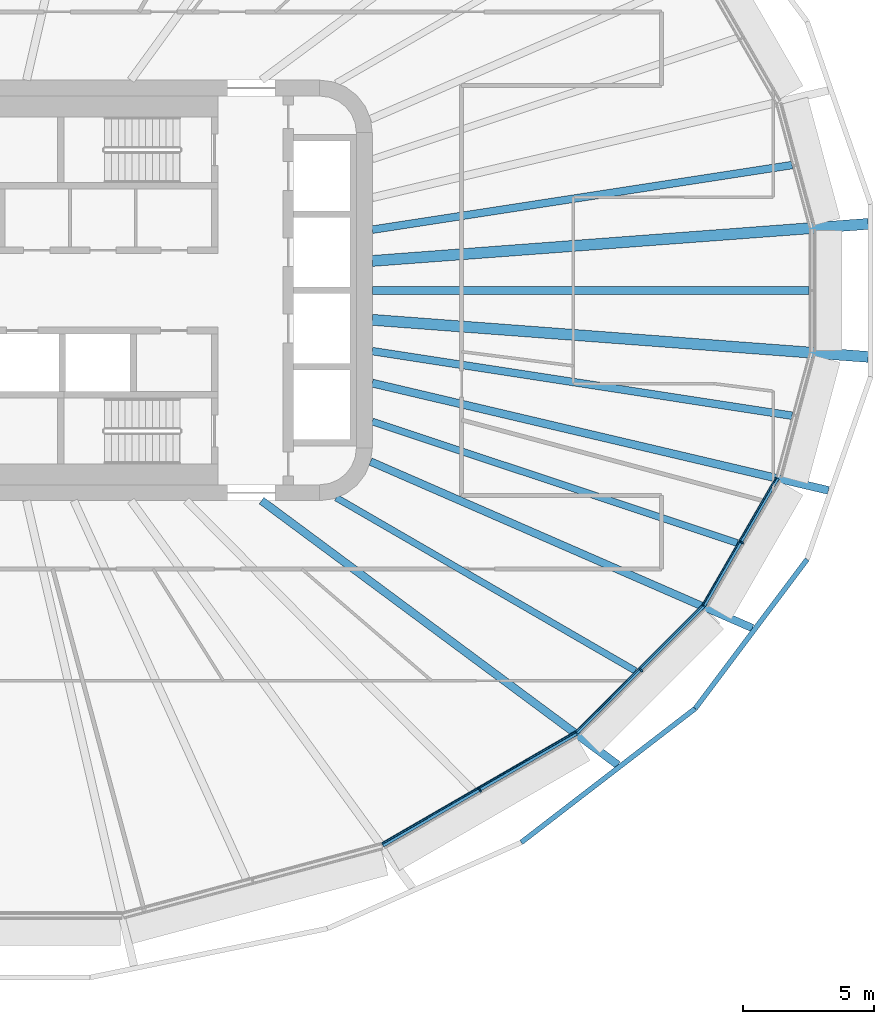
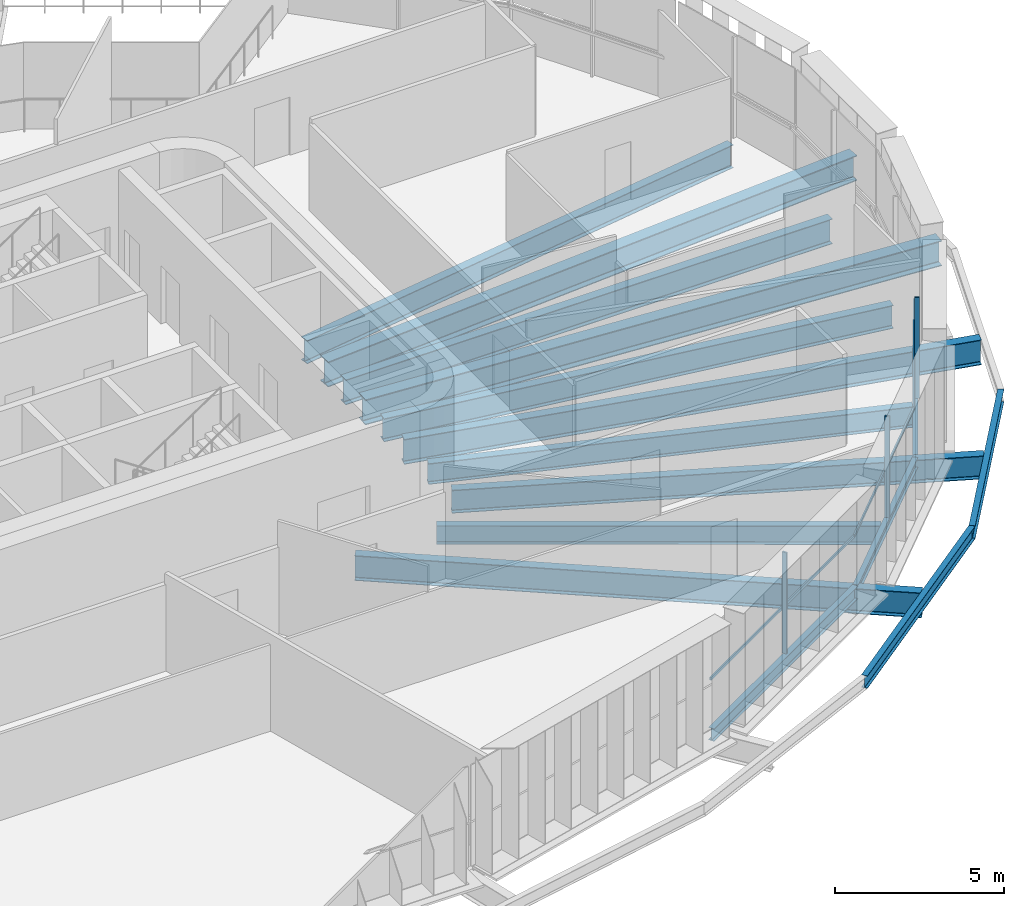
# One storey, part 5 of 24: 15 beams, 6 members, 3 elements without a shape of their own.
"""IFC4 building model written with IfcOpenShell, lengths in metres."""

import ifcopenshell
import ifcopenshell.guid

model = None  # the IFC model being written
_history = None  # IfcOwnerHistory: only IFC2X3 demands one
_inside = {}  # id of a spatial element -> (the spatial element, [elements in it])
_under = {}  # id of a project, library or spatial element -> (it, [spatial elements below it])
_declared = {}  # id of a project -> (the project, [libraries it declares])
_typed = {}  # id of a type object -> (the type object, [elements of that type])
_made_of = {}  # id of a material, layer set ... -> (it, [elements and type objects made of it])


def new_model(schema):
    """Start an empty IFC model of exactly this schema.

    Asked for "IFC4X3", IfcOpenShell would pick the latest addendum, in which some entities
    have other attributes; the version numbers below select the first issue.
    IFC2X3 requires an IfcOwnerHistory on every rooted entity: one is made here for all.
    """
    global model, _history
    if schema == "IFC4X3":
        model = ifcopenshell.file(schema_version=(4, 3, 0, 0))
    else:
        model = ifcopenshell.file(schema=schema)
    _inside.clear()
    _under.clear()
    _declared.clear()
    _typed.clear()
    _made_of.clear()
    _history = None
    if model.schema == "IFC2X3":
        org = make("IfcOrganization", Name="unknown")
        user = make(
            "IfcPersonAndOrganization",
            ThePerson=make("IfcPerson", FamilyName="unknown"),
            TheOrganization=org,
        )
        app = make(
            "IfcApplication",
            ApplicationDeveloper=org,
            Version="unknown",
            ApplicationFullName="unknown",
            ApplicationIdentifier="unknown",
        )
        _history = make(
            "IfcOwnerHistory",
            OwningUser=user,
            OwningApplication=app,
            ChangeAction="ADDED",
            CreationDate=0,
        )
    return model


def make(cls, **values):
    """One entity of the class cls with the attributes given. An attribute that is None is left unset."""
    return model.create_entity(
        cls, **{name: value for name, value in values.items() if value is not None}
    )


def rooted(cls, **values):
    """An entity with a GlobalId (a new one), such as an element, a storey or a relation."""
    return make(cls, GlobalId=ifcopenshell.guid.new(), OwnerHistory=_history, **values)


def si_unit(unit_type, name, prefix=None):
    """IfcSIUnit, for example si_unit("LENGTHUNIT", "METRE", prefix="MILLI")."""
    return make("IfcSIUnit", UnitType=unit_type, Prefix=prefix, Name=name)


def assignment(units):
    """IfcUnitAssignment: the units of a project."""
    return None if units is None else make("IfcUnitAssignment", Units=units)


def point(xyz):
    """IfcCartesianPoint."""
    return None if xyz is None else make("IfcCartesianPoint", Coordinates=xyz)


def direction(xyz):
    """IfcDirection."""
    return None if xyz is None else make("IfcDirection", DirectionRatios=xyz)


def frame(location, z_axis=None, x_axis=None):
    """IfcAxis2Placement3D, a coordinate frame: its origin and axes. An axis left out is left unset."""
    return make(
        "IfcAxis2Placement3D",
        Location=point(location),
        Axis=direction(z_axis),
        RefDirection=direction(x_axis),
    )


def frame_2d(location, x_axis=None):
    """IfcAxis2Placement2D, a coordinate frame in the plane: its origin and x axis."""
    return make(
        "IfcAxis2Placement2D", Location=point(location), RefDirection=direction(x_axis)
    )


def origin():
    """The frame at (0, 0, 0) with its axes left unset."""
    return frame((0.0, 0.0, 0.0))


def origin_2d():
    """The frame at (0, 0) in the plane with its x axis left unset."""
    return frame_2d((0.0, 0.0))


def place(relative_to, where):
    """IfcLocalPlacement: puts the frame where relative to a parent placement (None: the world)."""
    return make(
        "IfcLocalPlacement", PlacementRelTo=relative_to, RelativePlacement=where
    )


def context(
    kind, dimensions, precision=None, world=None, true_north=None, identifier=None
):
    """IfcGeometricRepresentationContext, for example the 3D "Model" context."""
    return make(
        "IfcGeometricRepresentationContext",
        ContextIdentifier=identifier,
        ContextType=kind,
        CoordinateSpaceDimension=dimensions,
        Precision=precision,
        WorldCoordinateSystem=world,
        TrueNorth=true_north,
    )


def subcontext(parent, identifier, kind, view, scale=None):
    """IfcGeometricRepresentationSubContext, for example "Body" below "Model"."""
    return make(
        "IfcGeometricRepresentationSubContext",
        ContextIdentifier=identifier,
        ContextType=kind,
        ParentContext=parent,
        TargetScale=scale,
        TargetView=view,
    )


def project(units=None, contexts=None):
    """IfcProject with its units and contexts."""
    return rooted(
        "IfcProject",
        Name="project",
        RepresentationContexts=contexts,
        UnitsInContext=assignment(units),
    )


def spatial(cls, under=None, at=None, **own):
    """A site, building, storey or space (cls), placed at a placement, below another one or the project."""
    s = rooted(cls, ObjectPlacement=at, **own)
    if under is not None:
        _under.setdefault(under.id(), (under, []))[1].append(s)
    return s


def profile(cls, at=None, kind="AREA", **sizes):
    """A parametric profile (cls). Its sizes go by their IFC names, for example OverallWidth=200.0."""
    return make(cls, ProfileType=kind, Position=at, **sizes)


def rectangle(**sizes):
    """IfcRectangleProfileDef."""
    return profile("IfcRectangleProfileDef", **sizes)


def i_section(**sizes):
    """IfcIShapeProfileDef."""
    return profile("IfcIShapeProfileDef", **sizes)


def extrude(swept, where, along, depth):
    """IfcExtrudedAreaSolid: the profile swept, set in the frame where, extruded along a direction by depth."""
    return make(
        "IfcExtrudedAreaSolid",
        SweptArea=swept,
        Position=where,
        ExtrudedDirection=direction(along),
        Depth=depth,
    )


def shape(context_of_items, identifier, shape_type, items):
    """IfcShapeRepresentation: the items that make up one representation, for example the "Body"."""
    return make(
        "IfcShapeRepresentation",
        ContextOfItems=context_of_items,
        RepresentationIdentifier=identifier,
        RepresentationType=shape_type,
        Items=items,
    )


def material(Name=None, Category=None):
    """IfcMaterial."""
    return make("IfcMaterial", Name=Name, Category=Category)


def layer(
    of_material, thickness, ventilated=None, Name=None, Category=None, Priority=None
):
    """IfcMaterialLayer: one layer of a wall or slab, of a material (None: an air gap)."""
    return make(
        "IfcMaterialLayer",
        Material=of_material,
        LayerThickness=thickness,
        IsVentilated=ventilated,
        Name=Name,
        Category=Category,
        Priority=Priority,
    )


def layer_set(layers, Name=None):
    """IfcMaterialLayerSet."""
    return make("IfcMaterialLayerSet", MaterialLayers=layers, LayerSetName=Name)


def material_profile(
    of_material, cross_section, Name=None, Category=None, Priority=None
):
    """IfcMaterialProfile: a cross section and its material."""
    return make(
        "IfcMaterialProfile",
        Name=Name,
        Material=of_material,
        Profile=cross_section,
        Priority=Priority,
        Category=Category,
    )


def profile_set(profiles, Name=None, composite=None):
    """IfcMaterialProfileSet."""
    return make(
        "IfcMaterialProfileSet",
        Name=Name,
        MaterialProfiles=profiles,
        CompositeProfile=composite,
    )


def made_of(thing, what):
    """Note that an element or type object is made of a material, layer set ...; save() writes the relation."""
    if what is not None:
        _made_of.setdefault(what.id(), (what, []))[1].append(thing)
    return thing


def type_object(cls, material=None, **own):
    """A type object (cls), such as IfcWallType, which elements share."""
    return made_of(rooted(cls, **own), material)


def element(
    cls,
    number,
    at=None,
    inside=None,
    cuts=None,
    type_object=None,
    material=None,
    context=None,
    identifier="Body",
    shape_type=None,
    held_by="IfcProductDefinitionShape",
    body=None,
    shapes=None,
    **own,
):
    """One element of the class cls, such as IfcWall. Its Tag is "e" and its number.

    at: its placement. inside: the storey or other place that contains it. cuts: it is an
    opening in that element (IfcRelVoidsElement). A single representation is given by context,
    identifier, shape_type and body (its items); several are given by shapes. held_by: the class
    of the entity that holds the representations. save() writes the other relations.
    """
    e = rooted(cls, Tag="e%d" % number, ObjectPlacement=at, **own)
    if body is not None:
        shapes = [shape(context, identifier, shape_type, body)]
    if shapes is not None:
        e.Representation = make(held_by, Representations=shapes)
    if inside is not None:
        _inside.setdefault(inside.id(), (inside, []))[1].append(e)
    if cuts is not None:
        rooted(
            "IfcRelVoidsElement", RelatingBuildingElement=cuts, RelatedOpeningElement=e
        )
    if type_object is not None:
        _typed.setdefault(type_object.id(), (type_object, []))[1].append(e)
    return made_of(e, material)


def aggregate(whole, parts):
    """IfcRelAggregates: a whole, such as a stair, and the parts it consists of."""
    return rooted("IfcRelAggregates", RelatingObject=whole, RelatedObjects=parts)


def save(model, path):
    """Write the relations noted so far, then the file.

    IfcRelAggregates (storeys below a building ...), IfcRelContainedInSpatialStructure (elements
    in a storey), IfcRelDefinesByType, IfcRelAssociatesMaterial and IfcRelDeclares: one each for
    every whole, place, type object, material and project.
    """
    for whole, parts in _under.values():
        aggregate(whole, parts)
    for where, things in _inside.values():
        rooted(
            "IfcRelContainedInSpatialStructure",
            RelatedElements=things,
            RelatingStructure=where,
        )
    for kind, things in _typed.values():
        rooted("IfcRelDefinesByType", RelatedObjects=things, RelatingType=kind)
    for what, things in _made_of.values():
        rooted("IfcRelAssociatesMaterial", RelatedObjects=things, RelatingMaterial=what)
    for by, libraries in _declared.values():
        rooted("IfcRelDeclares", RelatingContext=by, RelatedDefinitions=libraries)
    model.write(path)


model = new_model("IFC4")

# Units and contexts
model_context = context("Model", 3, precision=1e-05, world=origin(), true_north=direction((0.0, 1.0)))
body_context = subcontext(model_context, "Body", "Model", "MODEL_VIEW")
ifc_project = project(units=[si_unit("LENGTHUNIT", "METRE"), si_unit("AREAUNIT", "SQUARE_METRE"), si_unit("VOLUMEUNIT", "CUBIC_METRE"), si_unit("PLANEANGLEUNIT", "RADIAN"), si_unit("MASSUNIT", "GRAM", prefix="KILO")], contexts=[model_context])

# Site, building, storey
site_placement = place(None, origin())
site = spatial("IfcSite", under=ifc_project, at=site_placement, CompositionType="ELEMENT")
building_placement = place(site_placement, origin())
building = spatial("IfcBuilding", under=site, at=building_placement, Name="Sahrelin Media Tower", CompositionType="ELEMENT")
storey_placement = place(building_placement, frame((0.0, 0.0, 123.0)))
storey = spatial("IfcBuildingStorey", under=building, at=storey_placement, Name="L24", CompositionType="ELEMENT", Elevation=123.0)

# Beams
ifc_material_1 = material(Name="Steel S355", Category="steel")
ifc_material_profile_1 = material_profile(ifc_material_1, i_section(OverallWidth=0.1650390625, OverallDepth=0.303466796875, WebThickness=0.006103515625, FlangeThickness=0.01025390625, FilletRadius=0.0087890625, at=origin_2d()), Name="UB 305x165x40")
ifc_profile_set_1 = profile_set([ifc_material_profile_1], Name="Steel S355")
beam_type_1 = type_object("IfcBeamType", Name="Edge beam EB2", PredefinedType="BEAM", material=ifc_profile_set_1)
beam_1_placement = place(storey_placement, frame((30.407470703125, -7.140869140625, -0.3017578125), z_axis=(-0.500020903074, -0.866013335053, 0.0), x_axis=(0.866013335053, -0.500020903074, 0.0)))
element("IfcBeam", 1, at=beam_1_placement, inside=storey, type_object=beam_type_1, Name="Edge beam L24-03", PredefinedType="BEAM", context=body_context, shape_type="SweptSolid", body=[
    extrude(i_section(OverallWidth=0.1650390625, OverallDepth=0.303466796875, WebThickness=0.006103515625, FlangeThickness=0.01025390625, FilletRadius=0.0087890625, at=origin_2d()), origin(), (0.0, 0.0, 1.0), 5.593994140625),
])
ifc_material_profile_2 = material_profile(ifc_material_1, i_section(OverallWidth=0.17138671875, OverallDepth=0.35498046875, WebThickness=0.00732421875, FlangeThickness=0.011474609375, FilletRadius=0.01025390625, at=origin_2d()), Name="UB 356x171x51")
ifc_profile_set_2 = profile_set([ifc_material_profile_2], Name="Steel S355")
beam_type_2 = type_object("IfcBeamType", Name="Edge beam EB3", PredefinedType="BEAM", material=ifc_profile_set_2)
beam_2_placement = place(storey_placement, frame((27.593017578125, -12.00830078125, -0.327392578125), z_axis=(-0.70712470554, -0.707088856379, 0.0), x_axis=(0.707088856379, -0.70712470554, 0.0)))
element("IfcBeam", 2, at=beam_2_placement, inside=storey, type_object=beam_type_2, Name="Edge beam L24-04", PredefinedType="BEAM", context=body_context, shape_type="SweptSolid", body=[
    extrude(i_section(OverallWidth=0.17138671875, OverallDepth=0.35498046875, WebThickness=0.00732421875, FlangeThickness=0.011474609375, FilletRadius=0.01025390625, at=origin_2d()), origin(), (0.0, 0.0, 1.0), 6.810302734375),
])
ifc_material_profile_3 = material_profile(ifc_material_1, i_section(OverallWidth=0.1904296875, OverallDepth=0.45703125, WebThickness=0.009033203125, FlangeThickness=0.014404296875, FilletRadius=0.01025390625, at=origin_2d()), Name="UB 457x191x74")
ifc_profile_set_3 = profile_set([ifc_material_profile_3], Name="Steel S355")
beam_type_3 = type_object("IfcBeamType", Name="Edge beam EB5", PredefinedType="BEAM", material=ifc_profile_set_3)
beam_3_placement = place(storey_placement, frame((22.75439453125, -16.84130859375, -0.37841796875), z_axis=(-0.866022555323, -0.500004933648, 0.0), x_axis=(0.500004933648, -0.866022555323, 0.0)))
element("IfcBeam", 3, at=beam_3_placement, inside=storey, type_object=beam_type_3, Name="Edge beam L24-05", PredefinedType="BEAM", context=body_context, shape_type="SweptSolid", body=[
    extrude(i_section(OverallWidth=0.1904296875, OverallDepth=0.45703125, WebThickness=0.009033203125, FlangeThickness=0.014404296875, FilletRadius=0.01025390625, at=origin_2d()), origin(), (0.0, 0.0, 1.0), 8.50390625),
])

# Curtain wall, member
ifc_material_2 = material(Name="Champagne anodised aluminium 6063-T6", Category="aluminium")
ifc_layer = layer(ifc_material_2, 0.14990234375)
ifc_layer_set = layer_set([ifc_layer], Name="Tower ribbon curtain wall")
curtain_wall_type = type_object("IfcCurtainWallType", Name="Tower ribbon curtain wall", PredefinedType="NOTDEFINED", material=ifc_layer_set)
curtain_wall_1_placement = place(storey_placement, frame((19.147216796875, -19.09716796875, 0.0), z_axis=(0.0, 0.0, 1.0), x_axis=(1.0, 0.0, 0.0)))
curtain_wall_1 = element("IfcCurtainWall", 4, at=curtain_wall_1_placement, inside=storey, type_object=curtain_wall_type, Name="L24:CW:L24-20", PredefinedType="NOTDEFINED")
ifc_material_profile_4 = material_profile(ifc_material_2, rectangle(XDim=0.06005859375, YDim=0.14990234375, at=origin_2d()), Name="Mullion 60x150")
ifc_profile_set_4 = profile_set([ifc_material_profile_4], Name="Champagne anodised aluminium 6063-T6")
member_type_1 = type_object("IfcMemberType", Name="Mullion 60x150 CW1", PredefinedType="MULLION", material=ifc_profile_set_4)
member_1_placement = place(storey_placement, frame((19.099609375, -19.014892578125, 0.0), z_axis=(0.0, 0.0, 1.0), x_axis=(0.866022785779, 0.500004534492, 0.0)))
member_1 = element("IfcMember", 5, at=member_1_placement, type_object=member_type_1, Name="L24:CWM:L24-20", PredefinedType="MULLION", context=body_context, shape_type="SweptSolid", body=[
    extrude(rectangle(XDim=0.06005859375, YDim=0.14990234375, at=origin_2d()), origin(), (0.0, 0.0, 1.0), 3.648681640625),
])

curtain_wall_2_placement = place(storey_placement, frame((25.291259765625, -14.52197265625, 0.0), z_axis=(0.0, 0.0, 1.0), x_axis=(1.0, 0.0, 0.0)))
curtain_wall_2 = element("IfcCurtainWall", 6, at=curtain_wall_2_placement, inside=storey, type_object=curtain_wall_type, Name="L24:CW:L24-21", PredefinedType="NOTDEFINED")
member_2_placement = place(storey_placement, frame((25.22412109375, -14.454833984375, 0.0), z_axis=(0.0, 0.0, 1.0), x_axis=(0.707106781187, 0.707106781187, 0.0)))
member_2 = element("IfcMember", 7, at=member_2_placement, type_object=member_type_1, Name="L24:CWM:L24-21", PredefinedType="MULLION", context=body_context, shape_type="SweptSolid", body=[
    extrude(rectangle(XDim=0.06005859375, YDim=0.14990234375, at=origin_2d()), origin(), (0.0, 0.0, 1.0), 3.648681640625),
])

curtain_wall_3_placement = place(storey_placement, frame((29.138916015625, -9.63818359375, 0.0), z_axis=(0.0, 0.0, 1.0), x_axis=(1.0, 0.0, 0.0)))
curtain_wall_3 = element("IfcCurtainWall", 8, at=curtain_wall_3_placement, inside=storey, type_object=curtain_wall_type, Name="L24:CW:L24-22", PredefinedType="NOTDEFINED")
member_3_placement = place(storey_placement, frame((29.056396484375, -9.590576171875, 0.0), z_axis=(0.0, 0.0, 1.0), x_axis=(0.4999984885, 0.866026276448, 0.0)))
member_3 = element("IfcMember", 9, at=member_3_placement, type_object=member_type_1, Name="L24:CWM:L24-22", PredefinedType="MULLION", context=body_context, shape_type="SweptSolid", body=[
    extrude(rectangle(XDim=0.06005859375, YDim=0.14990234375, at=origin_2d()), origin(), (0.0, 0.0, 1.0), 3.648681640625),
])

# Beams
ifc_material_profile_5 = material_profile(ifc_material_1, i_section(OverallWidth=0.291748046875, OverallDepth=0.8349609375, WebThickness=0.013916015625, FlangeThickness=0.018798828125, FilletRadius=0.017822265625, at=origin_2d()), Name="UB 838x292x176")
ifc_profile_set_5 = profile_set([ifc_material_profile_5], Name="Steel S355")
beam_type_4 = type_object("IfcBeamType", Name="Radial primary beam PB10", PredefinedType="BEAM", material=ifc_profile_set_5)
beam_4_placement = place(storey_placement, frame((14.9326171875, -6.51220703125, -0.5673828125), z_axis=(0.916634616148, -0.399726131844, 0.0), x_axis=(0.399726131844, 0.916634616148, 0.0)))
element("IfcBeam", 10, at=beam_4_placement, inside=storey, type_object=beam_type_4, Name="Radial beam L24-22", PredefinedType="BEAM", context=body_context, shape_type="SweptSolid", body=[
    extrude(i_section(OverallWidth=0.291748046875, OverallDepth=0.8349609375, WebThickness=0.013916015625, FlangeThickness=0.018798828125, FilletRadius=0.017822265625, at=origin_2d()), origin(), (0.0, 0.0, 1.0), 15.8505859375),
])
ifc_material_profile_6 = material_profile(ifc_material_1, i_section(OverallWidth=0.30322265625, OverallDepth=0.903076171875, WebThickness=0.01513671875, FlangeThickness=0.020263671875, FilletRadius=0.01904296875, at=origin_2d()), Name="UB 914x305x201")
ifc_profile_set_6 = profile_set([ifc_material_profile_6], Name="Steel S355")
beam_type_5 = type_object("IfcBeamType", Name="Radial primary beam PB11", PredefinedType="BEAM", material=ifc_profile_set_6)
beam_5_placement = place(storey_placement, frame((10.78662109375, -8.0, -0.6015625), z_axis=(0.803198279185, -0.595711779566, 0.0), x_axis=(0.595711779566, 0.803198279185, 0.0)))
element("IfcBeam", 11, at=beam_5_placement, inside=storey, type_object=beam_type_5, Name="Radial beam L24-21", PredefinedType="BEAM", context=body_context, shape_type="SweptSolid", body=[
    extrude(i_section(OverallWidth=0.30322265625, OverallDepth=0.903076171875, WebThickness=0.01513671875, FlangeThickness=0.020263671875, FilletRadius=0.01904296875, at=origin_2d()), origin(), (0.0, 0.0, 1.0), 16.876708984375),
])
beam_6_placement = place(storey_placement, frame((15.0, -3.52783203125, -0.6015625), z_axis=(0.973438894473, -0.22894697798, 0.0), x_axis=(0.22894697798, 0.973438894473, 0.0)))
element("IfcBeam", 12, at=beam_6_placement, inside=storey, type_object=beam_type_5, Name="Radial beam L24-23", PredefinedType="BEAM", context=body_context, shape_type="SweptSolid", body=[
    extrude(i_section(OverallWidth=0.30322265625, OverallDepth=0.903076171875, WebThickness=0.01513671875, FlangeThickness=0.020263671875, FilletRadius=0.01904296875, at=origin_2d()), origin(), (0.0, 0.0, 1.0), 17.82861328125),
])
ifc_material_profile_7 = material_profile(ifc_material_1, i_section(OverallWidth=0.41845703125, OverallDepth=0.911865234375, WebThickness=0.019287109375, FlangeThickness=0.031982421875, FilletRadius=0.024169921875, at=origin_2d()), Name="UB 914x419x343")
ifc_profile_set_7 = profile_set([ifc_material_profile_7], Name="Steel S355")
beam_type_6 = type_object("IfcBeamType", Name="Radial primary beam PB12", PredefinedType="BEAM", material=ifc_profile_set_7)
for number, where, z_axis, x_axis, name in (
    (13, (15.0, 1.120849609375, -0.60595703125), (0.997220943798, 0.074500934562, 0.0), (-0.074500934562, 0.997220943798, 0.0), "Radial beam L24-01"),
    (14, (15.0, -1.120849609375, -0.60595703125), (0.997220943798, -0.074500934562, 0.0), (0.074500934562, 0.997220943798, 0.0), "Radial beam L24-24"),
):
    element("IfcBeam", number, at=place(storey_placement, frame(where, z_axis=z_axis, x_axis=x_axis)), inside=storey, type_object=beam_type_6, Name=name, PredefinedType="BEAM", context=body_context, shape_type="SweptSolid", body=[
        extrude(i_section(OverallWidth=0.41845703125, OverallDepth=0.911865234375, WebThickness=0.019287109375, FlangeThickness=0.031982421875, FilletRadius=0.024169921875, at=origin_2d()), origin(), (0.0, 0.0, 1.0), 18.92138671875),
    ])
ifc_material_profile_8 = material_profile(ifc_material_1, i_section(OverallWidth=0.291748046875, OverallDepth=0.8349609375, WebThickness=0.013916015625, FlangeThickness=0.018798828125, FilletRadius=0.017822265625, at=origin_2d()), Name="UB 838x292x176")
ifc_profile_set_8 = profile_set([ifc_material_profile_8], Name="Steel S355")
beam_type_7 = type_object("IfcBeamType", Name="Radial secondary beam SB10", PredefinedType="BEAM", material=ifc_profile_set_8)
for number, where, z_axis, x_axis, name in (
    (15, (15.0, 2.309814453125, -0.5673828125), (0.988349679946, 0.152200230453, 0.0), (-0.152200230453, 0.988349679946, 0.0), "Secondary beam L24-01"),
    (16, (15.0, -2.309814453125, -0.5673828125), (0.988349679946, -0.152200230453, 0.0), (0.152200230453, 0.988349679946, 0.0), "Secondary beam L24-19"),
):
    element("IfcBeam", number, at=place(storey_placement, frame(where, z_axis=z_axis, x_axis=x_axis)), inside=storey, type_object=beam_type_7, Name=name, PredefinedType="BEAM", context=body_context, shape_type="SweptSolid", body=[
        extrude(i_section(OverallWidth=0.291748046875, OverallDepth=0.8349609375, WebThickness=0.013916015625, FlangeThickness=0.018798828125, FilletRadius=0.017822265625, at=origin_2d()), origin(), (0.0, 0.0, 1.0), 16.159423828125),
    ])
ifc_material_profile_9 = material_profile(ifc_material_1, i_section(OverallWidth=0.30322265625, OverallDepth=0.903076171875, WebThickness=0.01513671875, FlangeThickness=0.020263671875, FilletRadius=0.01904296875, at=origin_2d()), Name="UB 914x305x201")
ifc_profile_set_9 = profile_set([ifc_material_profile_9], Name="Steel S355")
beam_type_8 = type_object("IfcBeamType", Name="Radial secondary beam SB11", PredefinedType="BEAM", material=ifc_profile_set_9)
beam_7_placement = place(storey_placement, frame((15.0, 0.0, -0.6015625), z_axis=(1.0, 0.0, 0.0), x_axis=(0.0, 1.0, 0.0)))
element("IfcBeam", 17, at=beam_7_placement, inside=storey, type_object=beam_type_8, Name="Secondary beam L24-20", PredefinedType="BEAM", context=body_context, shape_type="SweptSolid", body=[
    extrude(i_section(OverallWidth=0.30322265625, OverallDepth=0.903076171875, WebThickness=0.01513671875, FlangeThickness=0.020263671875, FilletRadius=0.01904296875, at=origin_2d()), origin(), (0.0, 0.0, 1.0), 16.619384765625),
])
ifc_material_profile_10 = material_profile(ifc_material_1, i_section(OverallWidth=0.2529296875, OverallDepth=0.677978515625, WebThickness=0.01171875, FlangeThickness=0.01611328125, FilletRadius=0.01513671875, at=origin_2d()), Name="UB 686x254x125")
ifc_profile_set_10 = profile_set([ifc_material_profile_10], Name="Steel S355")
beam_type_9 = type_object("IfcBeamType", Name="Radial secondary beam SB8", PredefinedType="BEAM", material=ifc_profile_set_10)
beam_8_placement = place(storey_placement, frame((13.626220703125, -7.886962890625, -0.489013671875), z_axis=(0.865481790925, -0.500940385252, 0.0), x_axis=(0.500940385252, 0.865481790925, 0.0)))
element("IfcBeam", 18, at=beam_8_placement, inside=storey, type_object=beam_type_9, Name="Secondary beam L24-17", PredefinedType="BEAM", context=body_context, shape_type="SweptSolid", body=[
    extrude(i_section(OverallWidth=0.2529296875, OverallDepth=0.677978515625, WebThickness=0.01171875, FlangeThickness=0.01611328125, FilletRadius=0.01513671875, at=origin_2d()), origin(), (0.0, 0.0, 1.0), 13.148681640625),
])
ifc_material_profile_11 = material_profile(ifc_material_1, i_section(OverallWidth=0.26513671875, OverallDepth=0.75390625, WebThickness=0.0126953125, FlangeThickness=0.017578125, FilletRadius=0.0166015625, at=origin_2d()), Name="UB 762x267x147")
ifc_profile_set_11 = profile_set([ifc_material_profile_11], Name="Steel S355")
beam_type_10 = type_object("IfcBeamType", Name="Radial secondary beam SB9", PredefinedType="BEAM", material=ifc_profile_set_11)
beam_9_placement = place(storey_placement, frame((15.0, -4.989501953125, -0.527099609375), z_axis=(0.948886617928, -0.315617151493, 0.0), x_axis=(0.315617151493, 0.948886617928, 0.0)))
element("IfcBeam", 19, at=beam_9_placement, inside=storey, type_object=beam_type_10, Name="Secondary beam L24-18", PredefinedType="BEAM", context=body_context, shape_type="SweptSolid", body=[
    extrude(i_section(OverallWidth=0.26513671875, OverallDepth=0.75390625, WebThickness=0.0126953125, FlangeThickness=0.017578125, FilletRadius=0.0166015625, at=origin_2d()), origin(), (0.0, 0.0, 1.0), 14.63525390625),
])
ifc_material_profile_12 = material_profile(ifc_material_1, i_section(OverallWidth=0.1904296875, OverallDepth=0.45703125, WebThickness=0.009033203125, FlangeThickness=0.014404296875, FilletRadius=0.01025390625, at=origin_2d()), Name="UB 457x191x74")
ifc_profile_set_12 = profile_set([ifc_material_profile_12], Name="Steel S355")
beam_type_11 = type_object("IfcBeamType", Name="Tie chord TC5", PredefinedType="BEAM", material=ifc_profile_set_12)
beam_10_placement = place(storey_placement, frame((20.668701171875, -21.00146484375, -0.37841796875), z_axis=(0.792439163216, 0.609950959178, 0.0), x_axis=(-0.609950959178, 0.792439163216, 0.0)))
element("IfcBeam", 20, at=beam_10_placement, inside=storey, type_object=beam_type_11, Name="Tie chord L24-21", PredefinedType="BEAM", context=body_context, shape_type="SweptSolid", body=[
    extrude(i_section(OverallWidth=0.1904296875, OverallDepth=0.45703125, WebThickness=0.009033203125, FlangeThickness=0.014404296875, FilletRadius=0.01025390625, at=origin_2d()), origin(), (0.0, 0.0, 1.0), 8.349365234375),
])
beam_11_placement = place(storey_placement, frame((27.28515625, -15.90869140625, -0.37841796875), z_axis=(0.600055058973, 0.79995870281, 0.0), x_axis=(-0.79995870281, 0.600055058973, 0.0)))
element("IfcBeam", 21, at=beam_11_placement, inside=storey, type_object=beam_type_11, Name="Tie chord L24-22", PredefinedType="BEAM", context=body_context, shape_type="SweptSolid", body=[
    extrude(i_section(OverallWidth=0.1904296875, OverallDepth=0.45703125, WebThickness=0.009033203125, FlangeThickness=0.014404296875, FilletRadius=0.01025390625, at=origin_2d()), origin(), (0.0, 0.0, 1.0), 7.094482421875),
])

# Member
ifc_material_profile_13 = material_profile(ifc_material_2, rectangle(XDim=0.050048828125, YDim=0.10009765625, at=origin_2d()), Name="Transom 50x100")
ifc_profile_set_13 = profile_set([ifc_material_profile_13], Name="Champagne anodised aluminium 6063-T6")
member_type_2 = type_object("IfcMemberType", Name="Transom 50x100 CW1", PredefinedType="USERDEFINED", material=ifc_profile_set_13)
member_4_placement = place(storey_placement, frame((15.381103515625, -21.04638671875, 1.60009765625), z_axis=(0.866021473228, 0.500006807861, 0.0), x_axis=(-0.500006807861, 0.866021473228, 0.0)))
member_4 = element("IfcMember", 22, at=member_4_placement, type_object=member_type_2, Name="L24:CWT:L24-20", ObjectType="TRANSOM", PredefinedType="USERDEFINED", context=body_context, shape_type="SweptSolid", body=[
    extrude(rectangle(XDim=0.050048828125, YDim=0.10009765625, at=origin_2d()), origin(), (0.0, 0.0, 1.0), 8.47265625),
])

aggregate(curtain_wall_1, [member_1, member_4])

member_5_placement = place(storey_placement, frame((22.756591796875, -16.78076171875, 1.60009765625), z_axis=(0.707124788617, 0.707088773297, 0.0), x_axis=(-0.707088773297, 0.707124788617, 0.0)))
member_5 = element("IfcMember", 23, at=member_5_placement, type_object=member_type_2, Name="L24:CWT:L24-21", ObjectType="TRANSOM", PredefinedType="USERDEFINED", context=body_context, shape_type="SweptSolid", body=[
    extrude(rectangle(XDim=0.050048828125, YDim=0.10009765625, at=origin_2d()), origin(), (0.0, 0.0, 1.0), 6.77880859375),
])

aggregate(curtain_wall_2, [member_2, member_5])

member_6_placement = place(storey_placement, frame((27.579345703125, -11.94921875, 1.60009765625), z_axis=(0.500009936039, 0.866019667134, 0.0), x_axis=(-0.866019667134, 0.500009936039, 0.0)))
member_6 = element("IfcMember", 24, at=member_6_placement, type_object=member_type_2, Name="L24:CWT:L24-22", ObjectType="TRANSOM", PredefinedType="USERDEFINED", context=body_context, shape_type="SweptSolid", body=[
    extrude(rectangle(XDim=0.050048828125, YDim=0.10009765625, at=origin_2d()), origin(), (0.0, 0.0, 1.0), 5.5625),
])

aggregate(curtain_wall_3, [member_3, member_6])

save(model, "model.ifc")
